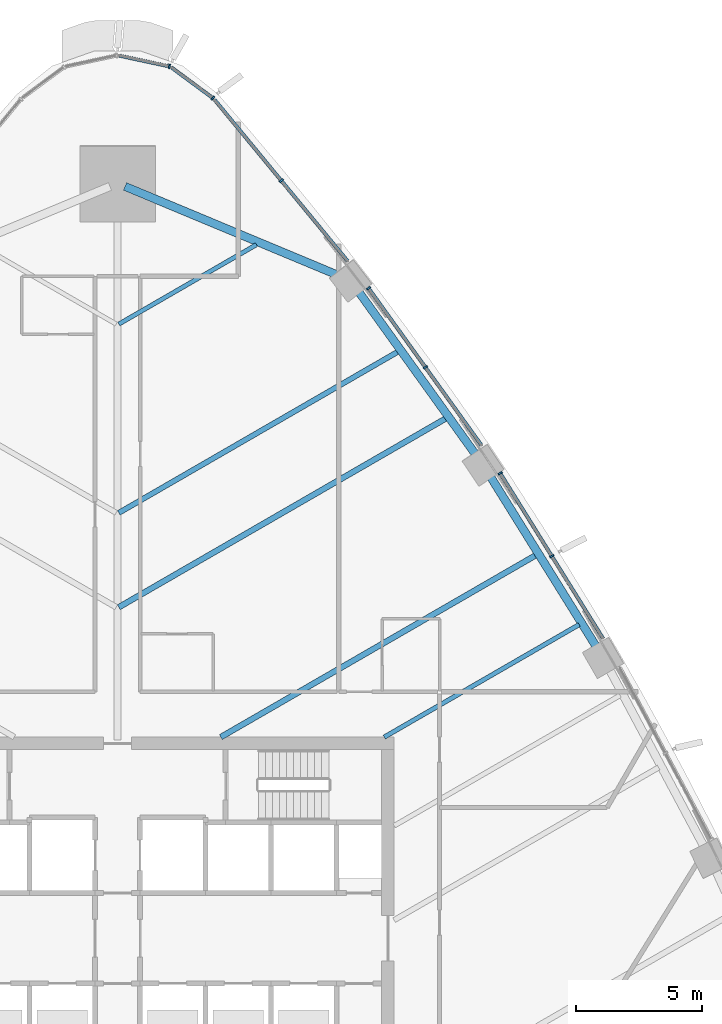
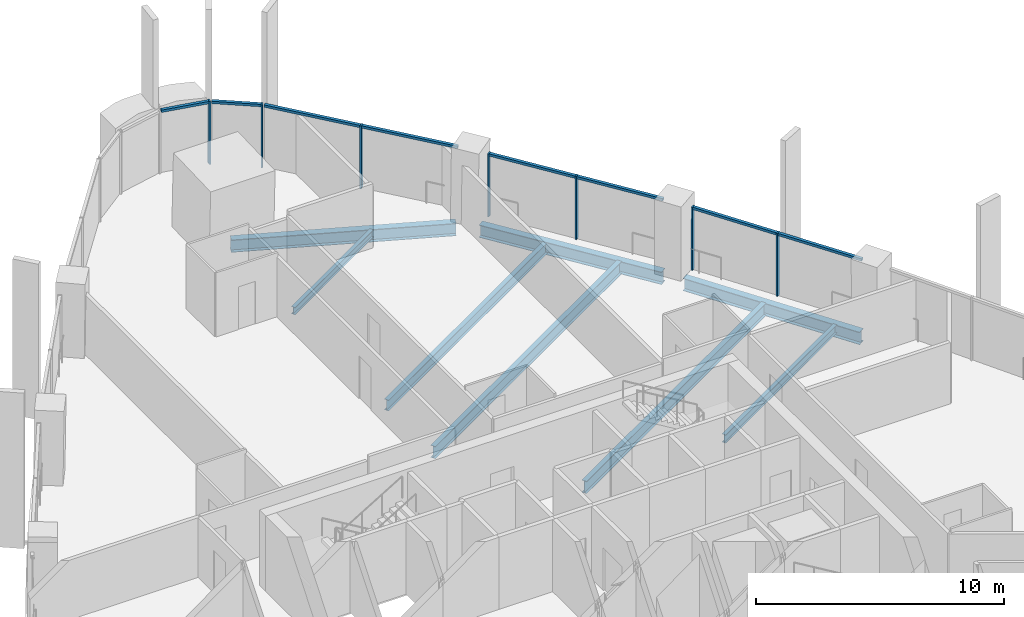
# One storey, part 7 of 25: 15 members, 8 beams, 5 elements without a shape of their own.
"""IFC4 building model written with IfcOpenShell, lengths in metres."""

from ifc_helpers import new_model, si_unit, direction, frame, origin, origin_2d, place, context, subcontext, project, spatial, rectangle, i_section, extrude, material, layer, layer_set, material_profile, profile_set, type_object, element, aggregate, save


model = new_model("IFC4")

# Units and contexts
model_context = context("Model", 3, precision=1e-05, world=origin(), true_north=direction((0.0, 1.0)))
body_context = subcontext(model_context, "Body", "Model", "MODEL_VIEW")
ifc_project = project(units=[si_unit("LENGTHUNIT", "METRE"), si_unit("AREAUNIT", "SQUARE_METRE"), si_unit("VOLUMEUNIT", "CUBIC_METRE"), si_unit("PLANEANGLEUNIT", "RADIAN"), si_unit("MASSUNIT", "GRAM", prefix="KILO")], contexts=[model_context])

# Site, building, storey
site_placement = place(None, origin())
site = spatial("IfcSite", under=ifc_project, at=site_placement, CompositionType="ELEMENT")
building_placement = place(site_placement, origin())
building = spatial("IfcBuilding", under=site, at=building_placement, Name="Sierra Prisma Convention Tower", CompositionType="ELEMENT")
storey_placement = place(building_placement, frame((0.0, 0.0, 88.699951171875)))
storey = spatial("IfcBuildingStorey", under=building, at=storey_placement, Name="L18", CompositionType="ELEMENT", Elevation=88.699951171875)

# Curtain wall, members
ifc_material_1 = material(Name="Aluminium and glass curtain wall", Category="aluminium")
ifc_layer = layer(ifc_material_1, 0.179931640625)
ifc_layer_set = layer_set([ifc_layer], Name="CW-1 Plain shaft curtain wall")
curtain_wall_type = type_object("IfcCurtainWallType", Name="CW-1 Plain shaft curtain wall", PredefinedType="NOTDEFINED", material=ifc_layer_set)
curtain_wall_1_placement = place(storey_placement, origin())
curtain_wall_1 = element("IfcCurtainWall", 1, at=curtain_wall_1_placement, inside=storey, type_object=curtain_wall_type, Name="CW-1 NE4 L18", PredefinedType="NOTDEFINED")
ifc_material_2 = material(Name="Aluminium 6063-T6 bronze anodised", Category="aluminium")
ifc_material_profile_1 = material_profile(ifc_material_2, rectangle(XDim=0.179931640625, YDim=0.070068359375, at=origin_2d()), Name="ALU MULLION 70x180")
ifc_profile_set_1 = profile_set([ifc_material_profile_1], Name="Aluminium 6063-T6 bronze anodised")
member_type_1 = type_object("IfcMemberType", Name="CW mullion bronze", PredefinedType="MULLION", material=ifc_profile_set_1)
member_1_placement = place(storey_placement, frame((17.269287109375, 15.191162109375, 0.0), z_axis=(0.0, 0.0, 1.0), x_axis=(-0.848946159407, -0.528479345319, 0.0)))
member_1 = element("IfcMember", 2, at=member_1_placement, type_object=member_type_1, Name="CW-1 mullion NE4.2", PredefinedType="MULLION", context=body_context, shape_type="SweptSolid", body=[
    extrude(rectangle(XDim=0.179931640625, YDim=0.070068359375, at=origin_2d()), origin(), (0.0, 0.0, 1.0), 3.10009765625),
])
member_2_placement = place(storey_placement, frame((15.214111328125, 18.492431640625, 0.0), z_axis=(0.0, 0.0, 1.0), x_axis=(-0.848946159407, -0.528479345319, 0.0)))
member_2 = element("IfcMember", 3, at=member_2_placement, type_object=member_type_1, Name="CW-1 mullion NE4.3", PredefinedType="MULLION", context=body_context, shape_type="SweptSolid", body=[
    extrude(rectangle(XDim=0.179931640625, YDim=0.070068359375, at=origin_2d()), origin(), (0.0, 0.0, 1.0), 3.10009765625),
])

curtain_wall_2_placement = place(storey_placement, origin())
curtain_wall_2 = element("IfcCurtainWall", 4, at=curtain_wall_2_placement, inside=storey, type_object=curtain_wall_type, Name="CW-1 NE5 L18", PredefinedType="NOTDEFINED")
member_3_placement = place(storey_placement, frame((12.240478515625, 22.703125, 0.0), z_axis=(0.0, 0.0, 1.0), x_axis=(-0.811998951128, -0.583658892991, 0.0)))
member_3 = element("IfcMember", 5, at=member_3_placement, type_object=member_type_1, Name="CW-1 mullion NE5.2", PredefinedType="MULLION", context=body_context, shape_type="SweptSolid", body=[
    extrude(rectangle(XDim=0.179931640625, YDim=0.070068359375, at=origin_2d()), origin(), (0.0, 0.0, 1.0), 3.10009765625),
])
member_4_placement = place(storey_placement, frame((9.97998046875, 25.84814453125, 0.0), z_axis=(0.0, 0.0, 1.0), x_axis=(-0.811998951128, -0.583658892991, 0.0)))
member_4 = element("IfcMember", 6, at=member_4_placement, type_object=member_type_1, Name="CW-1 mullion NE5.3", PredefinedType="MULLION", context=body_context, shape_type="SweptSolid", body=[
    extrude(rectangle(XDim=0.179931640625, YDim=0.070068359375, at=origin_2d()), origin(), (0.0, 0.0, 1.0), 3.10009765625),
])

# Curtain wall, member
curtain_wall_3_placement = place(storey_placement, origin())
curtain_wall_3 = element("IfcCurtainWall", 7, at=curtain_wall_3_placement, inside=storey, type_object=curtain_wall_type, Name="CW-1 NE6 L18", PredefinedType="NOTDEFINED")
member_5_placement = place(storey_placement, frame((6.5107421875, 30.12548828125, 0.0), z_axis=(0.0, 0.0, 1.0), x_axis=(-0.771470925985, -0.636264575754, 0.0)))
member_5 = element("IfcMember", 8, at=member_5_placement, type_object=member_type_1, Name="CW-1 mullion NE6.2", PredefinedType="MULLION", context=body_context, shape_type="SweptSolid", body=[
    extrude(rectangle(XDim=0.179931640625, YDim=0.070068359375, at=origin_2d()), origin(), (0.0, 0.0, 1.0), 3.10009765625),
])

curtain_wall_4_placement = place(storey_placement, origin())
curtain_wall_4 = element("IfcCurtainWall", 9, at=curtain_wall_4_placement, inside=storey, type_object=curtain_wall_type, Name="CW-1 N1 L18", PredefinedType="NOTDEFINED")
member_6_placement = place(storey_placement, frame((3.791015625, 33.409423828125, 0.0), z_axis=(0.0, 0.0, 1.0), x_axis=(-0.593946192772, -0.804504766979, 0.0)))
member_6 = element("IfcMember", 10, at=member_6_placement, type_object=member_type_1, Name="CW-1 mullion N1.1", PredefinedType="MULLION", context=body_context, shape_type="SweptSolid", body=[
    extrude(rectangle(XDim=0.179931640625, YDim=0.070068359375, at=origin_2d()), origin(), (0.0, 0.0, 1.0), 3.10009765625),
])

curtain_wall_5_placement = place(storey_placement, origin())
curtain_wall_5 = element("IfcCurtainWall", 11, at=curtain_wall_5_placement, inside=storey, type_object=curtain_wall_type, Name="CW-1 N2 L18", PredefinedType="NOTDEFINED")
member_7_placement = place(storey_placement, frame((2.060791015625, 34.6689453125, 0.0), z_axis=(0.0, 0.0, 1.0), x_axis=(-0.210400922005, -0.977615186062, 0.0)))
member_7 = element("IfcMember", 12, at=member_7_placement, type_object=member_type_1, Name="CW-1 mullion N2.1", PredefinedType="MULLION", context=body_context, shape_type="SweptSolid", body=[
    extrude(rectangle(XDim=0.179931640625, YDim=0.070068359375, at=origin_2d()), origin(), (0.0, 0.0, 1.0), 3.10009765625),
])

# Member
ifc_material_3 = material(Name="Aluminium 6063-T6 bronze anodised", Category="aluminium")
ifc_material_profile_2 = material_profile(ifc_material_3, rectangle(XDim=0.139892578125, YDim=0.1201171875, at=origin_2d()), Name="ALU TRANSOM 120x140")
ifc_profile_set_2 = profile_set([ifc_material_profile_2], Name="Aluminium 6063-T6 bronze anodised")
member_type_2 = type_object("IfcMemberType", Name="CW transom bronze", PredefinedType="USERDEFINED", material=ifc_profile_set_2)
member_8_placement = place(storey_placement, frame((19.305908203125, 11.91943359375, 3.0400390625), z_axis=(-0.528463699218, 0.848955899095, 0.0), x_axis=(-0.848955899095, -0.528463699218, 0.0)))
member_8 = element("IfcMember", 13, at=member_8_placement, type_object=member_type_2, Name="CW-1 transom NE4.1", ObjectType="TRANSOM", PredefinedType="USERDEFINED", context=body_context, shape_type="SweptSolid", body=[
    extrude(rectangle(XDim=0.139892578125, YDim=0.1201171875, at=origin_2d()), origin(), (0.0, 0.0, 1.0), 3.81884765625),
])

member_9_placement = place(storey_placement, frame((17.250732421875, 15.220947265625, 3.0400390625), z_axis=(-0.528492383175, 0.848938043043, 0.0), x_axis=(-0.848938043043, -0.528492383175, 0.0)))
member_9 = element("IfcMember", 14, at=member_9_placement, type_object=member_type_2, Name="CW-1 transom NE4.2", ObjectType="TRANSOM", PredefinedType="USERDEFINED", context=body_context, shape_type="SweptSolid", body=[
    extrude(rectangle(XDim=0.139892578125, YDim=0.1201171875, at=origin_2d()), origin(), (0.0, 0.0, 1.0), 3.818603515625),
])

aggregate(curtain_wall_1, [member_1, member_2, member_8, member_9])

member_10_placement = place(storey_placement, frame((14.48095703125, 19.58642578125, 3.0400390625), z_axis=(-0.58370085864, 0.811968784882, 0.0), x_axis=(-0.811968784882, -0.58370085864, 0.0)))
member_10 = element("IfcMember", 15, at=member_10_placement, type_object=member_type_2, Name="CW-1 transom NE5.1", ObjectType="TRANSOM", PredefinedType="USERDEFINED", context=body_context, shape_type="SweptSolid", body=[
    extrude(rectangle(XDim=0.139892578125, YDim=0.1201171875, at=origin_2d()), origin(), (0.0, 0.0, 1.0), 3.80322265625),
])

member_11_placement = place(storey_placement, frame((12.22021484375, 22.7314453125, 3.0400390625), z_axis=(-0.583670436061, 0.811990653929, 0.0), x_axis=(-0.811990653929, -0.583670436061, 0.0)))
member_11 = element("IfcMember", 16, at=member_11_placement, type_object=member_type_2, Name="CW-1 transom NE5.2", ObjectType="TRANSOM", PredefinedType="USERDEFINED", context=body_context, shape_type="SweptSolid", body=[
    extrude(rectangle(XDim=0.139892578125, YDim=0.1201171875, at=origin_2d()), origin(), (0.0, 0.0, 1.0), 3.803466796875),
])

aggregate(curtain_wall_2, [member_3, member_4, member_10, member_11])

member_12_placement = place(storey_placement, frame((9.157470703125, 26.916015625, 3.0400390625), z_axis=(-0.636246480925, 0.771485849196, 0.0), x_axis=(-0.771485849196, -0.636246480925, 0.0)))
member_12 = element("IfcMember", 17, at=member_12_placement, type_object=member_type_2, Name="CW-1 transom NE6.1", ObjectType="TRANSOM", PredefinedType="USERDEFINED", context=body_context, shape_type="SweptSolid", body=[
    extrude(rectangle(XDim=0.139892578125, YDim=0.1201171875, at=origin_2d()), origin(), (0.0, 0.0, 1.0), 4.125),
])

member_13_placement = place(storey_placement, frame((6.488525390625, 30.15234375, 3.0400390625), z_axis=(-0.636281705708, 0.771456797871, 0.0), x_axis=(-0.771456797871, -0.636281705708, 0.0)))
member_13 = element("IfcMember", 18, at=member_13_placement, type_object=member_type_2, Name="CW-1 transom NE6.2", ObjectType="TRANSOM", PredefinedType="USERDEFINED", context=body_context, shape_type="SweptSolid", body=[
    extrude(rectangle(XDim=0.139892578125, YDim=0.1201171875, at=origin_2d()), origin(), (0.0, 0.0, 1.0), 4.125244140625),
])

aggregate(curtain_wall_3, [member_5, member_12, member_13])

member_14_placement = place(storey_placement, frame((3.762939453125, 33.430419921875, 3.0400390625), z_axis=(-0.804525548794, 0.59391804261, 0.0), x_axis=(-0.59391804261, -0.804525548794, 0.0)))
member_14 = element("IfcMember", 19, at=member_14_placement, type_object=member_type_2, Name="CW-1 transom N1.1", ObjectType="TRANSOM", PredefinedType="USERDEFINED", context=body_context, shape_type="SweptSolid", body=[
    extrude(rectangle(XDim=0.139892578125, YDim=0.1201171875, at=origin_2d()), origin(), (0.0, 0.0, 1.0), 2.003173828125),
])

aggregate(curtain_wall_4, [member_6, member_14])

member_15_placement = place(storey_placement, frame((2.026611328125, 34.67626953125, 3.0400390625), z_axis=(-0.977596830994, 0.210486189643, 0.0), x_axis=(-0.210486189643, -0.977596830994, 0.0)))
member_15 = element("IfcMember", 20, at=member_15_placement, type_object=member_type_2, Name="CW-1 transom N2.1", ObjectType="TRANSOM", PredefinedType="USERDEFINED", context=body_context, shape_type="SweptSolid", body=[
    extrude(rectangle(XDim=0.139892578125, YDim=0.1201171875, at=origin_2d()), origin(), (0.0, 0.0, 1.0), 2.003173828125),
])

aggregate(curtain_wall_5, [member_7, member_15])

# Beams
ifc_material_4 = material(Name="Steel ASTM A992 Gr 50", Category="steel")
ifc_material_profile_3 = material_profile(ifc_material_4, i_section(OverallWidth=0.172119140625, OverallDepth=0.35791015625, WebThickness=0.0078125, FlangeThickness=0.01318359375, at=origin_2d()), Name="W360x57")
ifc_profile_set_3 = profile_set([ifc_material_profile_3], Name="Steel ASTM A992 Gr 50")
beam_type_1 = type_object("IfcBeamType", Name="Floor joist W360x57", PredefinedType="JOIST", material=ifc_profile_set_3)
beam_1_placement = place(storey_placement, frame((5.526611328125, 27.581787109375, -0.328857421875), z_axis=(-0.866028632512, -0.499994407638, 0.0), x_axis=(0.499994407638, -0.866028632512, 0.0)))
element("IfcBeam", 21, at=beam_1_placement, inside=storey, type_object=beam_type_1, Name="Floor joist L18 NE15", PredefinedType="JOIST", context=body_context, shape_type="SweptSolid", body=[
    extrude(i_section(OverallWidth=0.172119140625, OverallDepth=0.35791015625, WebThickness=0.0078125, FlangeThickness=0.01318359375, at=origin_2d()), origin(), (0.0, 0.0, 1.0), 6.3203125),
])
ifc_material_5 = material(Name="Steel ASTM A992 Gr 50", Category="steel")
ifc_material_profile_4 = material_profile(ifc_material_5, i_section(OverallWidth=0.177978515625, OverallDepth=0.406982421875, WebThickness=0.0078125, FlangeThickness=0.0126953125, at=origin_2d()), Name="W410x60")
ifc_profile_set_4 = profile_set([ifc_material_profile_4], Name="Steel ASTM A992 Gr 50")
beam_type_2 = type_object("IfcBeamType", Name="Floor joist W410x60", PredefinedType="JOIST", material=ifc_profile_set_4)
beam_2_placement = place(storey_placement, frame((18.35693359375, 12.474609375, -0.353515625), z_axis=(-0.866025218268, -0.500000321324, 0.0), x_axis=(0.500000321324, -0.866025218268, 0.0)))
element("IfcBeam", 22, at=beam_2_placement, inside=storey, type_object=beam_type_2, Name="Floor joist L18 NE09", PredefinedType="JOIST", context=body_context, shape_type="SweptSolid", body=[
    extrude(i_section(OverallWidth=0.177978515625, OverallDepth=0.406982421875, WebThickness=0.0078125, FlangeThickness=0.0126953125, at=origin_2d()), origin(), (0.0, 0.0, 1.0), 8.94921875),
])
ifc_material_6 = material(Name="Steel ASTM A992 Gr 50", Category="steel")
ifc_material_profile_5 = material_profile(ifc_material_6, i_section(OverallWidth=0.208984375, OverallDepth=0.532958984375, WebThickness=0.01025390625, FlangeThickness=0.015625, at=origin_2d()), Name="W530x92")
ifc_profile_set_5 = profile_set([ifc_material_profile_5], Name="Steel ASTM A992 Gr 50")
beam_type_3 = type_object("IfcBeamType", Name="Floor joist W530x92", PredefinedType="JOIST", material=ifc_profile_set_5)
beam_3_placement = place(storey_placement, frame((11.159423828125, 23.3291015625, -0.41650390625), z_axis=(-0.866023907196, -0.500002592159, 0.0), x_axis=(0.500002592159, -0.866023907196, 0.0)))
element("IfcBeam", 23, at=beam_3_placement, inside=storey, type_object=beam_type_3, Name="Floor joist L18 NE13", PredefinedType="JOIST", context=body_context, shape_type="SweptSolid", body=[
    extrude(i_section(OverallWidth=0.208984375, OverallDepth=0.532958984375, WebThickness=0.01025390625, FlangeThickness=0.015625, at=origin_2d()), origin(), (0.0, 0.0, 1.0), 12.82470703125),
])
ifc_material_7 = material(Name="Steel ASTM A992 Gr 50", Category="steel")
ifc_material_profile_6 = material_profile(ifc_material_7, i_section(OverallWidth=0.22802734375, OverallDepth=0.60302734375, WebThickness=0.010498046875, FlangeThickness=0.014892578125, at=origin_2d()), Name="W610x101")
ifc_profile_set_6 = profile_set([ifc_material_profile_6], Name="Steel ASTM A992 Gr 50")
beam_type_4 = type_object("IfcBeamType", Name="Floor joist W610x101", PredefinedType="JOIST", material=ifc_profile_set_6)
beam_4_placement = place(storey_placement, frame((16.638427734375, 15.23486328125, -0.451416015625), z_axis=(-0.866027117883, -0.499997031082, 0.0), x_axis=(0.499997031082, -0.866027117883, 0.0)))
element("IfcBeam", 24, at=beam_4_placement, inside=storey, type_object=beam_type_4, Name="Floor joist L18 NE10", PredefinedType="JOIST", context=body_context, shape_type="SweptSolid", body=[
    extrude(i_section(OverallWidth=0.22802734375, OverallDepth=0.60302734375, WebThickness=0.010498046875, FlangeThickness=0.014892578125, at=origin_2d()), origin(), (0.0, 0.0, 1.0), 14.4697265625),
])
beam_5_placement = place(storey_placement, frame((13.065673828125, 20.677001953125, -0.451416015625), z_axis=(-0.866030816627, -0.499990624564, 0.0), x_axis=(0.499990624564, -0.866030816627, 0.0)))
element("IfcBeam", 25, at=beam_5_placement, inside=storey, type_object=beam_type_4, Name="Floor joist L18 NE12", PredefinedType="JOIST", context=body_context, shape_type="SweptSolid", body=[
    extrude(i_section(OverallWidth=0.22802734375, OverallDepth=0.60302734375, WebThickness=0.010498046875, FlangeThickness=0.014892578125, at=origin_2d()), origin(), (0.0, 0.0, 1.0), 15.025634765625),
])
ifc_material_8 = material(Name="Steel ASTM A992 Gr 50", Category="steel")
ifc_material_profile_7 = material_profile(ifc_material_8, i_section(OverallWidth=0.324951171875, OverallDepth=0.615966796875, WebThickness=0.013916015625, FlangeThickness=0.021484375, at=origin_2d()), Name="W610x174")
ifc_profile_set_7 = profile_set([ifc_material_profile_7], Name="Steel ASTM A992 Gr 50")
beam_type_5 = type_object("IfcBeamType", Name="Spandrel beam W610x174", PredefinedType="BEAM", material=ifc_profile_set_7)
for number, where, z_axis, x_axis, name in (
    (26, (19.059814453125, 11.55859375, -0.4580078125), (-0.528489369395, 0.848939919215, 0.0), (-0.848939919215, -0.528489369395, 0.0), "Spandrel L18-10"),
    (27, (14.259033203125, 19.209716796875, -0.4580078125), (-0.583647264837, 0.812007309233, 0.0), (-0.812007309233, -0.583647264837, 0.0), "Spandrel L18-11"),
):
    element("IfcBeam", number, at=place(storey_placement, frame(where, z_axis=z_axis, x_axis=x_axis)), inside=storey, type_object=beam_type_5, Name=name, PredefinedType="BEAM", context=body_context, shape_type="SweptSolid", body=[
        extrude(i_section(OverallWidth=0.324951171875, OverallDepth=0.615966796875, WebThickness=0.013916015625, FlangeThickness=0.021484375, at=origin_2d()), origin(), (0.0, 0.0, 1.0), 8.07275390625),
    ])
beam_6_placement = place(storey_placement, frame((8.739990234375, 26.374755859375, -0.4580078125), z_axis=(-0.922955234427, 0.38490730734, 0.0), x_axis=(-0.38490730734, -0.922955234427, 0.0)))
element("IfcBeam", 28, at=beam_6_placement, inside=storey, type_object=beam_type_5, Name="Spandrel L18-12", PredefinedType="BEAM", context=body_context, shape_type="SweptSolid", body=[
    extrude(i_section(OverallWidth=0.324951171875, OverallDepth=0.615966796875, WebThickness=0.013916015625, FlangeThickness=0.021484375, at=origin_2d()), origin(), (0.0, 0.0, 1.0), 9.14453125),
])

save(model, "model.ifc")
